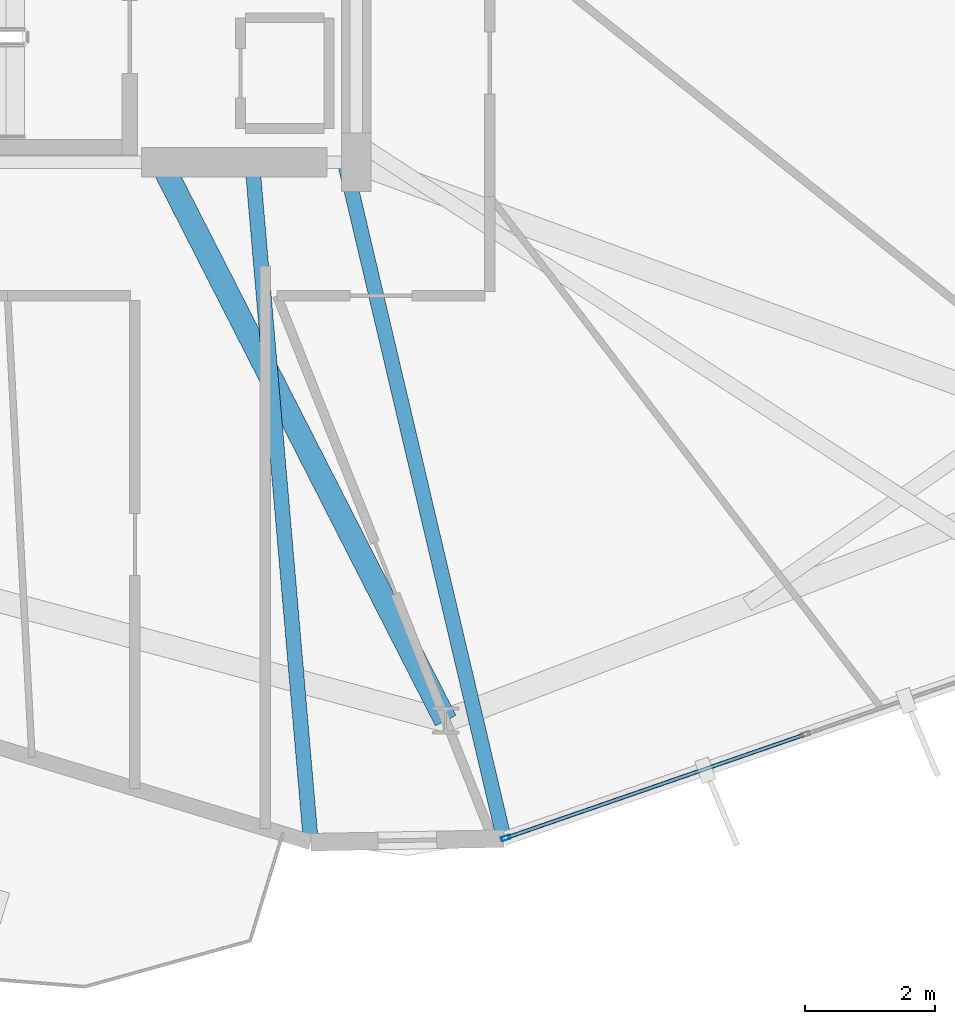
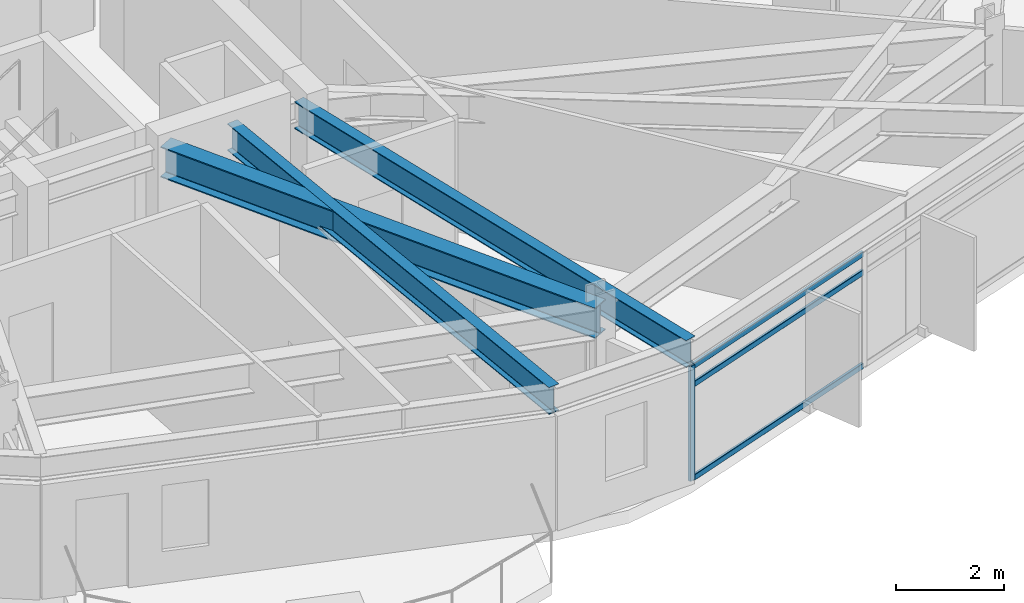
# One storey, part 6 of 34: 4 members, 3 beams, 1 element without a shape of its own.
"""IFC4 building model written with IfcOpenShell, lengths in metres."""

from ifc_helpers import new_model, si_unit, direction, frame, origin, origin_2d, place, context, subcontext, project, spatial, hollow_rectangle, i_section, extrude, material, layer, layer_set, material_profile, profile_set, type_object, element, aggregate, save


model = new_model("IFC4")

# Units and contexts
model_context = context("Model", 3, precision=1e-05, world=origin(), true_north=direction((0.0, 1.0)))
body_context = subcontext(model_context, "Body", "Model", "MODEL_VIEW")
ifc_project = project(units=[si_unit("LENGTHUNIT", "METRE"), si_unit("AREAUNIT", "SQUARE_METRE"), si_unit("VOLUMEUNIT", "CUBIC_METRE"), si_unit("PLANEANGLEUNIT", "RADIAN"), si_unit("MASSUNIT", "GRAM", prefix="KILO")], contexts=[model_context])

# Site, building, storey
site_placement = place(None, origin())
site = spatial("IfcSite", under=ifc_project, at=site_placement, CompositionType="ELEMENT")
building_placement = place(site_placement, origin())
building = spatial("IfcBuilding", under=site, at=building_placement, Name="Soratama Intermodal Tower", CompositionType="ELEMENT")
storey_placement = place(building_placement, frame((0.0, 0.0, 233.800048828125)))
storey = spatial("IfcBuildingStorey", under=building, at=storey_placement, Name="L59", CompositionType="ELEMENT", Elevation=233.800048828125)

# Beams
ifc_material_1 = material(Name="Structural steel ASTM A992 Grade 50", Category="steel")
ifc_material_profile_1 = material_profile(ifc_material_1, i_section(OverallWidth=0.35498046875, OverallDepth=0.695068359375, WebThickness=0.015380859375, FlangeThickness=0.02490234375, FilletRadius=0.01611328125, at=origin_2d()), Name="W27X146")
ifc_profile_set_1 = profile_set([ifc_material_profile_1], Name="Structural steel ASTM A992 Grade 50")
beam_type_1 = type_object("IfcBeamType", Name="BM-RING-W27X146", PredefinedType="BEAM", material=ifc_profile_set_1)
beam_1_placement = place(storey_placement, frame((41.60009765625, 15.0, 2.87255859375), z_axis=(0.454332323157, -0.890832273851, 0.0), x_axis=(0.890832273851, 0.454332323157, 0.0)))
element("IfcBeam", 1, at=beam_1_placement, inside=storey, type_object=beam_type_1, Name="BM-L59-RAD-08", PredefinedType="BEAM", context=body_context, shape_type="SweptSolid", body=[
    extrude(i_section(OverallWidth=0.35498046875, OverallDepth=0.695068359375, WebThickness=0.015380859375, FlangeThickness=0.02490234375, FilletRadius=0.01611328125, at=origin_2d()), origin(), (0.0, 0.0, 1.0), 9.624755859375),
])
ifc_material_2 = material(Name="Structural steel ASTM A992 Grade 50", Category="steel")
ifc_material_profile_2 = material_profile(ifc_material_2, i_section(OverallWidth=0.22900390625, OverallDepth=0.612060546875, WebThickness=0.011962890625, FlangeThickness=0.01953125, FilletRadius=0.012939453125, at=origin_2d()), Name="W24X84")
ifc_profile_set_2 = profile_set([ifc_material_profile_2], Name="Structural steel ASTM A992 Grade 50")
beam_type_2 = type_object("IfcBeamType", Name="BM-TIE-W24X84", PredefinedType="BEAM", material=ifc_profile_set_2)
beam_2_placement = place(storey_placement, frame((43.0048828125, 14.9599609375, 2.9140625), z_axis=(0.085936365941, -0.996300627827, 0.0), x_axis=(0.996300627827, 0.085936365941, 0.0)))
element("IfcBeam", 2, at=beam_2_placement, inside=storey, type_object=beam_type_2, Name="BM-L59-TIE1-06", PredefinedType="BEAM", context=body_context, shape_type="SweptSolid", body=[
    extrude(i_section(OverallWidth=0.22900390625, OverallDepth=0.612060546875, WebThickness=0.011962890625, FlangeThickness=0.01953125, FilletRadius=0.012939453125, at=origin_2d()), origin(), (0.0, 0.0, 1.0), 10.4404296875),
])
beam_3_placement = place(storey_placement, frame((44.43408203125, 14.9609375, 2.9140625), z_axis=(0.228974042121, -0.973432528753, 0.0), x_axis=(0.973432528753, 0.228974042121, 0.0)))
element("IfcBeam", 3, at=beam_3_placement, inside=storey, type_object=beam_type_2, Name="BM-L59-TIE0-07", PredefinedType="BEAM", context=body_context, shape_type="SweptSolid", body=[
    extrude(i_section(OverallWidth=0.22900390625, OverallDepth=0.612060546875, WebThickness=0.011962890625, FlangeThickness=0.01953125, FilletRadius=0.012939453125, at=origin_2d()), origin(), (0.0, 0.0, 1.0), 10.62939453125),
])

# Curtain wall, members
ifc_material_3 = material(Name="Double-glazed aluminium curtain wall", Category="aluminium")
ifc_layer = layer(ifc_material_3, 0.159912109375)
ifc_layer_set = layer_set([ifc_layer], Name="Double-glazed aluminium curtain wall")
curtain_wall_type = type_object("IfcCurtainWallType", Name="CW-SYS-5", PredefinedType="NOTDEFINED", material=ifc_layer_set)
curtain_wall_placement = place(storey_placement, origin())
curtain_wall = element("IfcCurtainWall", 4, at=curtain_wall_placement, inside=storey, type_object=curtain_wall_type, Name="L59 Faceted Curtain Wall F07", PredefinedType="NOTDEFINED")
ifc_material_4 = material(Name="Anodised aluminium AA 6063-T6", Category="aluminium")
ifc_material_profile_3 = material_profile(ifc_material_4, hollow_rectangle(XDim=0.06494140625, YDim=0.139892578125, WallThickness=0.0048828125, InnerFilletRadius=0.0048828125, OuterFilletRadius=0.010009765625, at=origin_2d()), Name="CWM140X65X5")
ifc_profile_set_3 = profile_set([ifc_material_profile_3], Name="Anodised aluminium AA 6063-T6")
member_type_1 = type_object("IfcMemberType", Name="MT-CWM-5", PredefinedType="MULLION", material=ifc_profile_set_3)
member_1_placement = place(storey_placement, frame((46.896240234375, 4.623291015625, 0.0), z_axis=(0.0, 0.0, 1.0), x_axis=(-0.326893913141, 0.945061040119, 0.0)))
member_1 = element("IfcMember", 5, at=member_1_placement, type_object=member_type_1, Name="CW-5 mullion 1", PredefinedType="MULLION", context=body_context, shape_type="SweptSolid", body=[
    extrude(hollow_rectangle(XDim=0.06494140625, YDim=0.139892578125, WallThickness=0.0048828125, InnerFilletRadius=0.0048828125, OuterFilletRadius=0.010009765625, at=origin_2d()), origin(), (0.0, 0.0, 1.0), 2.598876953125),
])
ifc_material_5 = material(Name="Anodised aluminium AA 6063-T6", Category="aluminium")
ifc_material_profile_4 = material_profile(ifc_material_5, hollow_rectangle(XDim=0.06005859375, YDim=0.1298828125, WallThickness=0.0048828125, InnerFilletRadius=0.0048828125, OuterFilletRadius=0.010009765625, at=origin_2d()), Name="CWT130X60X5")
ifc_profile_set_4 = profile_set([ifc_material_profile_4], Name="Anodised aluminium AA 6063-T6")
member_type_2 = type_object("IfcMemberType", Name="TT-CWT-2", PredefinedType="USERDEFINED", material=ifc_profile_set_4)
member_2_placement = place(storey_placement, frame((46.924560546875, 4.633056640625, 0.030029296875), z_axis=(0.945059084363, 0.326899567242, 0.0), x_axis=(-0.326899567242, 0.945059084363, 0.0)))
member_2 = element("IfcMember", 6, at=member_2_placement, type_object=member_type_2, Name="CW-5 transom 1.1", ObjectType="TRANSOM", PredefinedType="USERDEFINED", context=body_context, shape_type="SweptSolid", body=[
    extrude(hollow_rectangle(XDim=0.06005859375, YDim=0.1298828125, WallThickness=0.0048828125, InnerFilletRadius=0.0048828125, OuterFilletRadius=0.010009765625, at=origin_2d()), origin(), (0.0, 0.0, 1.0), 4.808837890625),
])
member_3_placement = place(storey_placement, frame((46.924560546875, 4.633056640625, 2.14990234375), z_axis=(0.945059084363, 0.326899567242, 0.0), x_axis=(-0.326899567242, 0.945059084363, 0.0)))
member_3 = element("IfcMember", 7, at=member_3_placement, type_object=member_type_2, Name="CW-5 transom 1.2", ObjectType="TRANSOM", PredefinedType="USERDEFINED", context=body_context, shape_type="SweptSolid", body=[
    extrude(hollow_rectangle(XDim=0.06005859375, YDim=0.1298828125, WallThickness=0.0048828125, InnerFilletRadius=0.0048828125, OuterFilletRadius=0.010009765625, at=origin_2d()), origin(), (0.0, 0.0, 1.0), 4.808837890625),
])
member_4_placement = place(storey_placement, frame((46.924560546875, 4.633056640625, 2.56884765625), z_axis=(0.945059084363, 0.326899567242, 0.0), x_axis=(-0.326899567242, 0.945059084363, 0.0)))
member_4 = element("IfcMember", 8, at=member_4_placement, type_object=member_type_2, Name="CW-5 transom 1.3", ObjectType="TRANSOM", PredefinedType="USERDEFINED", context=body_context, shape_type="SweptSolid", body=[
    extrude(hollow_rectangle(XDim=0.06005859375, YDim=0.1298828125, WallThickness=0.0048828125, InnerFilletRadius=0.0048828125, OuterFilletRadius=0.010009765625, at=origin_2d()), origin(), (0.0, 0.0, 1.0), 4.808837890625),
])
aggregate(curtain_wall, [member_1, member_2, member_3, member_4])

save(model, "model.ifc")
